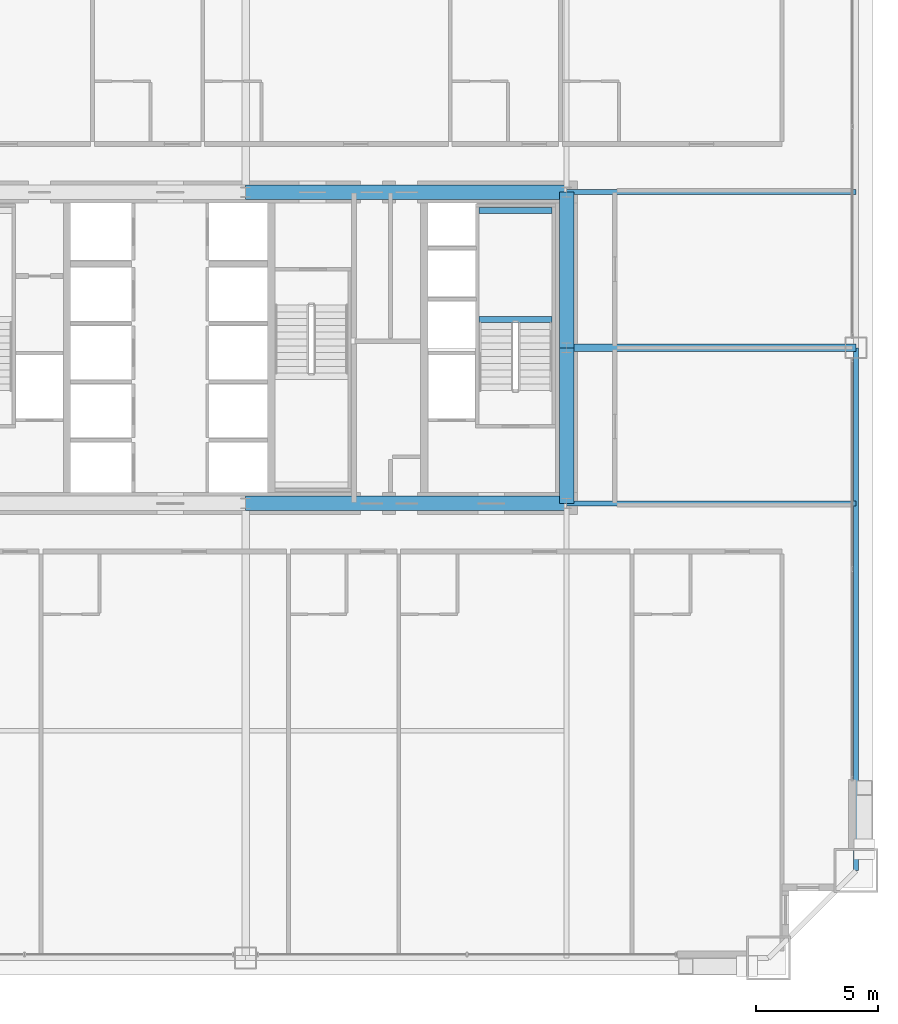
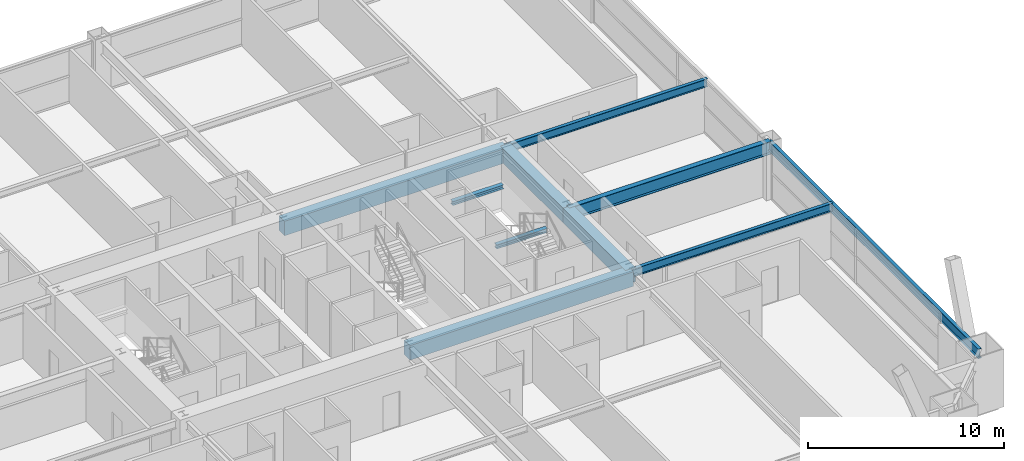
# One storey, part 18 of 43: 10 beams.
"""IFC4 building model written with IfcOpenShell, lengths in metres."""

from ifc_helpers import new_model, si_unit, direction, frame, origin, origin_2d, place, context, subcontext, project, spatial, rectangle, i_section, extrude, source, transform, mapped, material, material_profile, profile_set, type_object, element, save


model = new_model("IFC4")

# Units and contexts
model_context = context("Model", 3, precision=1e-05, world=origin(), true_north=direction((0.0, 1.0)))
body_context = subcontext(model_context, "Body", "Model", "MODEL_VIEW")
ifc_project = project(units=[si_unit("LENGTHUNIT", "METRE"), si_unit("AREAUNIT", "SQUARE_METRE"), si_unit("VOLUMEUNIT", "CUBIC_METRE"), si_unit("PLANEANGLEUNIT", "RADIAN"), si_unit("MASSUNIT", "GRAM", prefix="KILO"), si_unit("THERMODYNAMICTEMPERATUREUNIT", "KELVIN"), si_unit("POWERUNIT", "WATT")], contexts=[model_context])

# Site, building, storey
site_placement = place(None, origin())
site = spatial("IfcSite", under=ifc_project, at=site_placement, CompositionType="ELEMENT")
building_placement = place(site_placement, origin())
building = spatial("IfcBuilding", under=site, at=building_placement, Name="Yuzanri Waterfront Tower", CompositionType="ELEMENT")
storey_placement = place(building_placement, frame((0.0, 0.0, 74.800048828125)))
storey = spatial("IfcBuildingStorey", under=building, at=storey_placement, Name="L19", CompositionType="ELEMENT", Elevation=74.800048828125)

# Beams
ifc_material_1 = material(Name="Concrete C60", Category="concrete")
ifc_material_profile_1 = material_profile(ifc_material_1, rectangle(XDim=0.60009765625, YDim=0.89990234375, at=origin_2d()), Name="RC 600x900")
ifc_profile_set_1 = profile_set([ifc_material_profile_1], Name="Concrete C60")
beam_type_1 = type_object("IfcBeamType", Name="Core Coupling Lintel Concrete C60 600x900", PredefinedType="LINTEL", material=ifc_profile_set_1)
shared_shape_1 = source(origin(), body_context, "Body", "SweptSolid", [
    extrude(rectangle(XDim=0.60009765625, YDim=0.89990234375, at=origin_2d()), origin(), (0.0, 0.0, 1.0), 13.199951171875),
])
for number, where, z_axis, x_axis, name in (
    (1, (37.0, 19.39990234375, 2.929931640625), (1.0, 0.0, 0.0), (0.0, 1.0, 0.0), "L19 Core Tie Beam CS2"),
    (2, (37.0, 32.199951171875, 2.929931640625), (1.0, 0.0, 0.0), (0.0, 1.0, 0.0), "L19 Core Tie Beam CN2"),
):
    element("IfcBeam", number, at=place(storey_placement, frame(where, z_axis=z_axis, x_axis=x_axis)), inside=storey, type_object=beam_type_1, Name=name, PredefinedType="LINTEL", context=body_context, shape_type="MappedRepresentation", body=[
        mapped(shared_shape_1, transform((0.0, 0.0, 0.0), scale=1.0)),
    ])
shared_shape_2 = source(origin(), body_context, "Body", "SweptSolid", [
    extrude(rectangle(XDim=0.60009765625, YDim=0.89990234375, at=origin_2d()), origin(), (0.0, 0.0, 1.0), 6.400146484375),
])
beam_1_placement = place(storey_placement, frame((50.199951171875, 19.39990234375, 2.929931640625), z_axis=(0.0, 1.0, 0.0), x_axis=(-1.0, 0.0, 0.0)))
element("IfcBeam", 3, at=beam_1_placement, inside=storey, type_object=beam_type_1, Name="L19 Core Tie Beam CE1", PredefinedType="LINTEL", context=body_context, shape_type="MappedRepresentation", body=[
    mapped(shared_shape_2, transform((0.0, 0.0, 0.0), scale=1.0)),
])
shared_shape_3 = source(origin(), body_context, "Body", "SweptSolid", [
    extrude(rectangle(XDim=0.60009765625, YDim=0.89990234375, at=origin_2d()), origin(), (0.0, 0.0, 1.0), 6.39990234375),
])
beam_2_placement = place(storey_placement, frame((50.199951171875, 25.800048828125, 2.929931640625), z_axis=(0.0, 1.0, 0.0), x_axis=(-1.0, 0.0, 0.0)))
element("IfcBeam", 4, at=beam_2_placement, inside=storey, type_object=beam_type_1, Name="L19 Core Tie Beam CE2", PredefinedType="LINTEL", context=body_context, shape_type="MappedRepresentation", body=[
    mapped(shared_shape_3, transform((0.0, 0.0, 0.0), scale=1.0)),
])
ifc_material_2 = material(Name="Steel Q355B", Category="steel")
ifc_material_profile_2 = material_profile(ifc_material_2, i_section(OverallWidth=0.199951171875, OverallDepth=0.60009765625, WebThickness=0.010986328125, FlangeThickness=0.01708984375, at=origin_2d()), Name="HN 600x200x11x17")
ifc_profile_set_2 = profile_set([ifc_material_profile_2], Name="Steel Q355B")
beam_type_2 = type_object("IfcBeamType", Name="Perimeter Spandrel Q355B HN 600x200", PredefinedType="SPANDREL", material=ifc_profile_set_2)
shared_shape_4 = source(origin(), body_context, "Body", "SweptSolid", [
    extrude(i_section(OverallWidth=0.199951171875, OverallDepth=0.60009765625, WebThickness=0.010986328125, FlangeThickness=0.01708984375, at=origin_2d()), origin(), (0.0, 0.0, 1.0), 21.5),
])
beam_3_placement = place(storey_placement, frame((62.10009765625, 4.300048828125, 3.079833984375), z_axis=(0.0, 1.0, 0.0), x_axis=(-1.0, 0.0, 0.0)))
element("IfcBeam", 5, at=beam_3_placement, inside=storey, type_object=beam_type_2, Name="L19 Perimeter Spandrel E1-E2", PredefinedType="SPANDREL", context=body_context, shape_type="MappedRepresentation", body=[
    mapped(shared_shape_4, transform((0.0, 0.0, 0.0), scale=1.0)),
])
ifc_material_3 = material(Name="Steel Q355B", Category="steel")
ifc_material_profile_3 = material_profile(ifc_material_3, i_section(OverallWidth=0.300048828125, OverallDepth=0.800048828125, WebThickness=0.013916015625, FlangeThickness=0.02587890625, at=origin_2d()), Name="HN 800x300x14x26")
ifc_profile_set_3 = profile_set([ifc_material_profile_3], Name="Steel Q355B")
beam_type_3 = type_object("IfcBeamType", Name="Primary Floor Girder Q355B HN 800x300", PredefinedType="BEAM", material=ifc_profile_set_3)
shared_shape_5 = source(origin(), body_context, "Body", "SweptSolid", [
    extrude(i_section(OverallWidth=0.300048828125, OverallDepth=0.800048828125, WebThickness=0.013916015625, FlangeThickness=0.02587890625, at=origin_2d()), origin(), (0.0, 0.0, 1.0), 11.900146484375),
])
beam_4_placement = place(storey_placement, frame((50.199951171875, 25.800048828125, 2.97998046875), z_axis=(1.0, 0.0, 0.0), x_axis=(0.0, 1.0, 0.0)))
element("IfcBeam", 6, at=beam_4_placement, inside=storey, type_object=beam_type_3, Name="L19 East Grid Girder", PredefinedType="BEAM", context=body_context, shape_type="MappedRepresentation", body=[
    mapped(shared_shape_5, transform((0.0, 0.0, 0.0), scale=1.0)),
])
ifc_material_4 = material(Name="Steel Q355B", Category="steel")
ifc_material_profile_4 = material_profile(ifc_material_4, i_section(OverallWidth=0.199951171875, OverallDepth=0.5, WebThickness=0.010009765625, FlangeThickness=0.01611328125, at=origin_2d()), Name="HN 500x200x10x16")
ifc_profile_set_4 = profile_set([ifc_material_profile_4], Name="Steel Q355B")
beam_type_4 = type_object("IfcBeamType", Name="Secondary Floor Beam Q355B HN 500x200", PredefinedType="BEAM", material=ifc_profile_set_4)
shared_shape_6 = source(origin(), body_context, "Body", "SweptSolid", [
    extrude(i_section(OverallWidth=0.199951171875, OverallDepth=0.5, WebThickness=0.010009765625, FlangeThickness=0.01611328125, at=origin_2d()), origin(), (0.0, 0.0, 1.0), 11.900146484375),
])
for number, where, z_axis, x_axis, name in (
    (7, (50.199951171875, 19.39990234375, 3.1298828125), (1.0, 0.0, 0.0), (0.0, 1.0, 0.0), "L19 East-South Core Line Beam"),
    (8, (50.199951171875, 32.199951171875, 3.1298828125), (1.0, 0.0, 0.0), (0.0, 1.0, 0.0), "L19 East-North Core Line Beam"),
):
    element("IfcBeam", number, at=place(storey_placement, frame(where, z_axis=z_axis, x_axis=x_axis)), inside=storey, type_object=beam_type_4, Name=name, PredefinedType="BEAM", context=body_context, shape_type="MappedRepresentation", body=[
        mapped(shared_shape_6, transform((0.0, 0.0, 0.0), scale=1.0)),
    ])
ifc_material_5 = material(Name="Steel Q355B", Category="steel")
ifc_material_profile_5 = material_profile(ifc_material_5, i_section(OverallWidth=0.25, OverallDepth=0.25, WebThickness=0.009033203125, FlangeThickness=0.013916015625, at=origin_2d()), Name="HW 250x250x9x14")
ifc_profile_set_5 = profile_set([ifc_material_profile_5], Name="Steel Q355B")
beam_type_5 = type_object("IfcBeamType", Name="Stair Landing Support Beam Q355B HW 250x250", PredefinedType="BEAM", material=ifc_profile_set_5)
shared_shape_7 = source(origin(), body_context, "Body", "SweptSolid", [
    extrude(i_section(OverallWidth=0.25, OverallDepth=0.25, WebThickness=0.009033203125, FlangeThickness=0.013916015625, at=origin_2d()), origin(), (0.0, 0.0, 1.0), 3.0),
])
for number, where, z_axis, x_axis, name in (
    (9, (46.60009765625, 26.969970703125, 1.474853515625), (1.0, 0.0, 0.0), (0.0, 1.0, 0.0), "L19 Stair Landing Support Beam ST-02-L19-L1-1"),
    (10, (46.60009765625, 31.449951171875, 1.474853515625), (1.0, 0.0, 0.0), (0.0, 1.0, 0.0), "L19 Stair Landing Support Beam ST-02-L19-L1-2"),
):
    element("IfcBeam", number, at=place(storey_placement, frame(where, z_axis=z_axis, x_axis=x_axis)), inside=storey, type_object=beam_type_5, Name=name, PredefinedType="BEAM", context=body_context, shape_type="MappedRepresentation", body=[
        mapped(shared_shape_7, transform((0.0, 0.0, 0.0), scale=1.0)),
    ])

save(model, "model.ifc")
